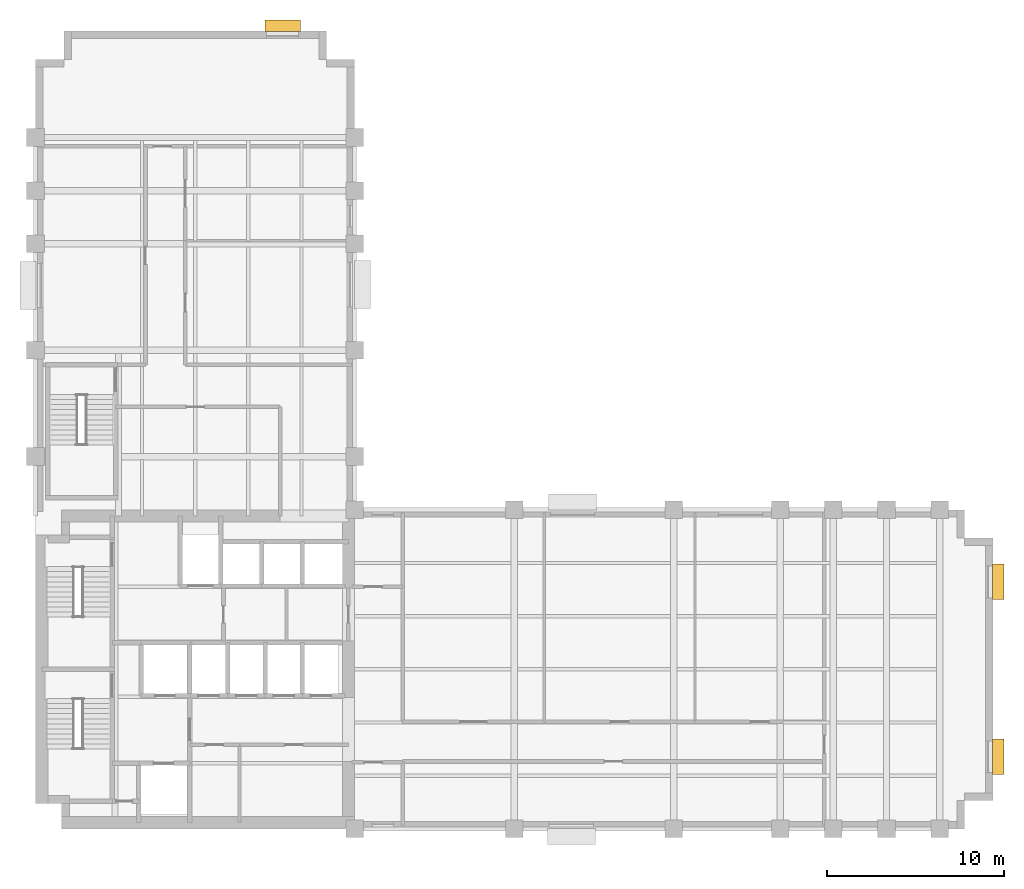
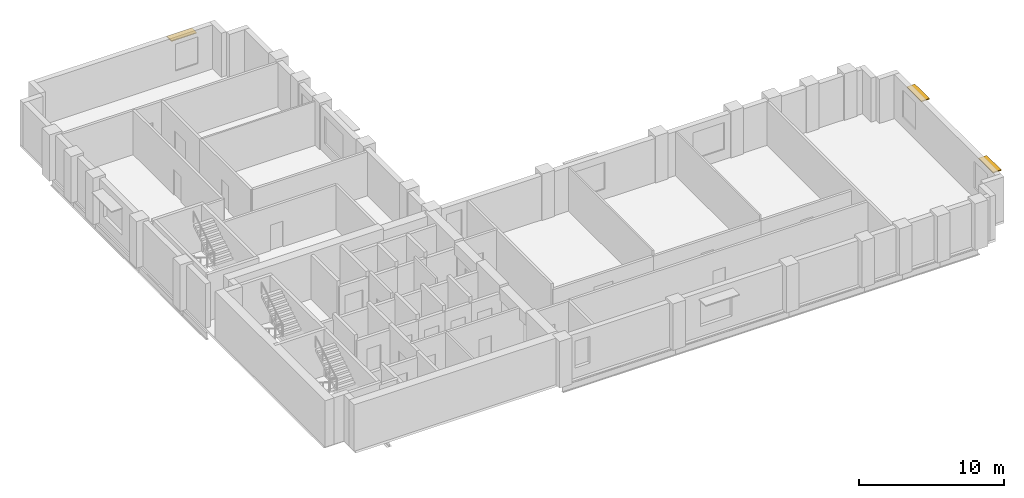
# One storey, part 8 of 8: 3 shading devices.
"""IFC4 building model written with IfcOpenShell, lengths in metres."""

from ifc_helpers import new_model, si_unit, direction, frame, origin, origin_2d, place, context, subcontext, project, spatial, rectangle, extrude, material, layer, layer_set, type_object, element, save


model = new_model("IFC4")

# Units and contexts
model_context = context("Model", 3, precision=1e-05, world=origin(), true_north=direction((0.0, 1.0)))
body_context = subcontext(model_context, "Body", "Model", "MODEL_VIEW")
ifc_project = project(units=[si_unit("LENGTHUNIT", "METRE"), si_unit("AREAUNIT", "SQUARE_METRE"), si_unit("VOLUMEUNIT", "CUBIC_METRE"), si_unit("PLANEANGLEUNIT", "RADIAN"), si_unit("MASSUNIT", "GRAM", prefix="KILO")], contexts=[model_context])

# Site, building, storey
site_placement = place(None, origin())
site = spatial("IfcSite", under=ifc_project, at=site_placement, CompositionType="ELEMENT")
building_placement = place(site_placement, origin())
building = spatial("IfcBuilding", under=site, at=building_placement, Name="Mawjdan Bourse Tower", CompositionType="ELEMENT")
storey_placement = place(building_placement, frame((0.0, 0.0, 144.0)))
storey = spatial("IfcBuildingStorey", under=building, at=storey_placement, Name="L34", CompositionType="ELEMENT", Elevation=144.0)

# Shading devices
ifc_material = material(Name="Bronze Anodised Aluminium", Category="aluminium")
ifc_layer = layer(ifc_material, 0.074951171875)
ifc_layer_set = layer_set([ifc_layer], Name="Bronze Anodised Aluminium")
shading_device_type = type_object("IfcShadingDeviceType", Name="SHD-SUN-650", PredefinedType="USERDEFINED", material=ifc_layer_set)
for number, where, z_axis, x_axis, name in (
    (1, (60.304931640625, 7.066650390625, 3.10009765625), (0.0, 0.0, 1.0), (0.0, 1.0, 0.0), "L34 Solar Window Hood 02"),
    (2, (60.304931640625, 16.933349609375, 3.10009765625), (0.0, 0.0, 1.0), (0.0, 1.0, 0.0), "L34 Solar Window Hood 03"),
    (3, (19.933349609375, 48.304931640625, 3.10009765625), (0.0, 0.0, 1.0), (-1.0, 0.0, 0.0), "L34 Solar Window Hood 06"),
):
    element("IfcShadingDevice", number, at=place(storey_placement, frame(where, z_axis=z_axis, x_axis=x_axis)), inside=storey, type_object=shading_device_type, Name=name, ObjectType="SUNSHADE", PredefinedType="USERDEFINED", context=body_context, shape_type="SweptSolid", body=[
        extrude(rectangle(XDim=2.0, YDim=0.64990234375, at=origin_2d()), origin(), (0.0, 0.0, 1.0), 0.074951171875),
    ])

save(model, "model.ifc")
